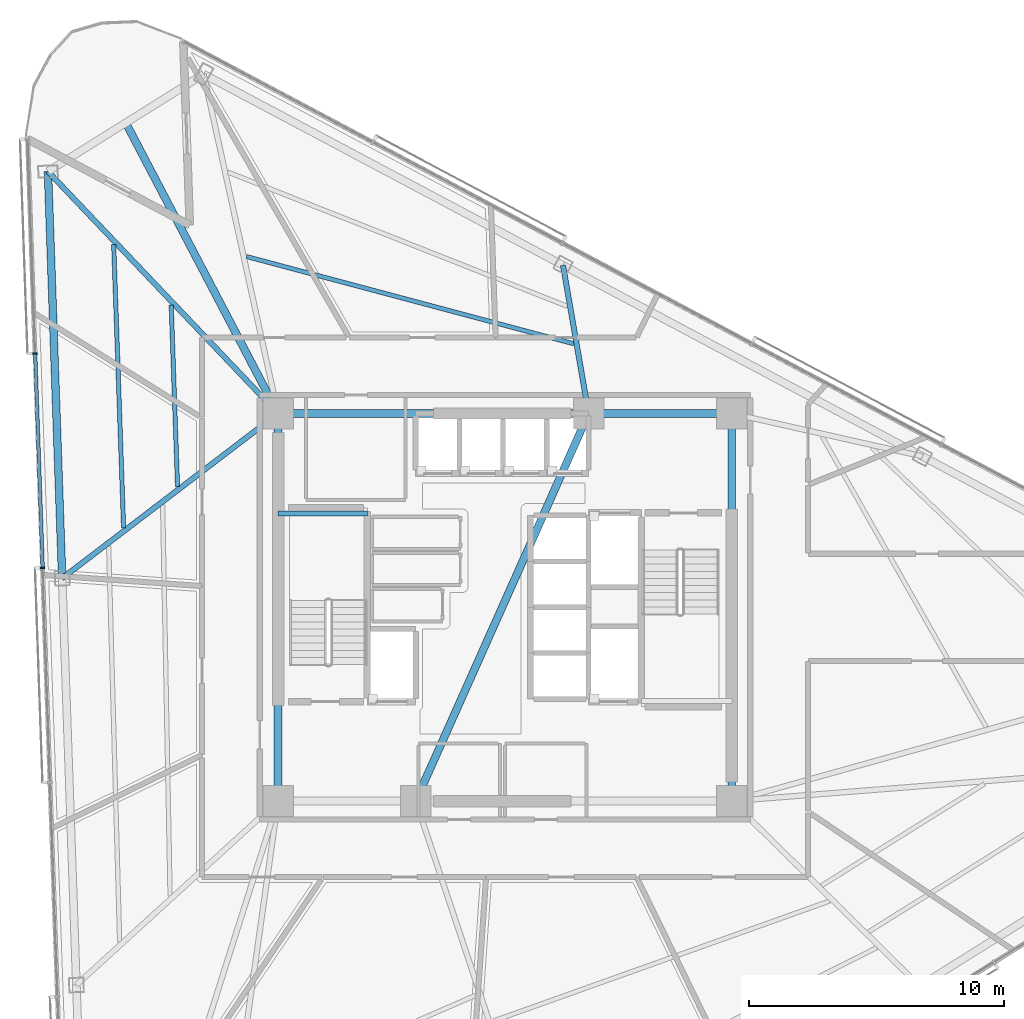
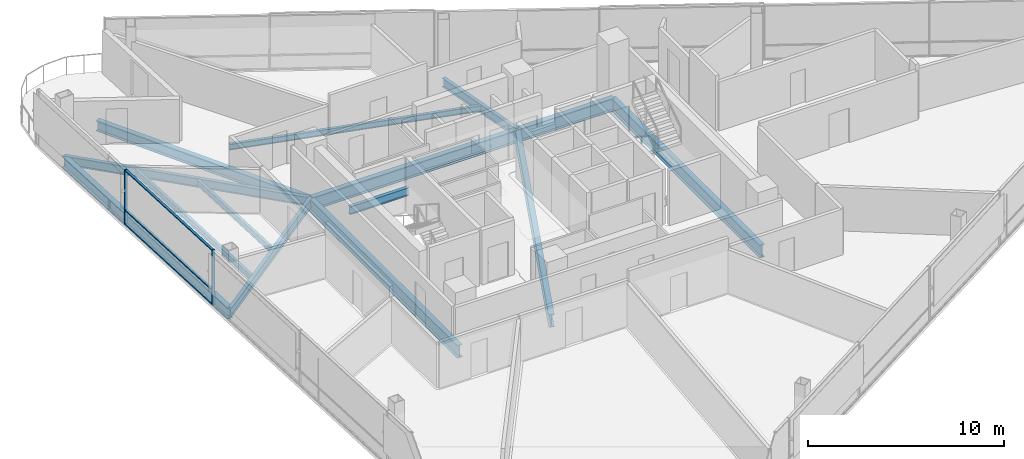
# One storey, part 7 of 20: 14 beams, 5 members, 1 element without a shape of its own.
"""IFC4 building model written with IfcOpenShell, lengths in metres."""

from ifc_helpers import new_model, si_unit, direction, frame, origin, origin_2d, place, context, subcontext, project, spatial, rectangle, i_section, extrude, material, layer, layer_set, material_profile, profile_set, type_object, element, aggregate, save


model = new_model("IFC4")

# Units and contexts
model_context = context("Model", 3, precision=1e-05, world=origin(), true_north=direction((0.0, 1.0)))
body_context = subcontext(model_context, "Body", "Model", "MODEL_VIEW")
ifc_project = project(units=[si_unit("LENGTHUNIT", "METRE"), si_unit("AREAUNIT", "SQUARE_METRE"), si_unit("VOLUMEUNIT", "CUBIC_METRE"), si_unit("PLANEANGLEUNIT", "RADIAN"), si_unit("MASSUNIT", "GRAM", prefix="KILO")], contexts=[model_context])

# Site, building, storey
site_placement = place(None, origin())
site = spatial("IfcSite", under=ifc_project, at=site_placement, CompositionType="ELEMENT")
building_placement = place(site_placement, origin())
building = spatial("IfcBuilding", under=site, at=building_placement, Name="Tharavind Bronze Gate", CompositionType="ELEMENT")
storey_placement = place(building_placement, frame((0.0, 0.0, 149.60009765625)))
storey = spatial("IfcBuildingStorey", under=building, at=storey_placement, Name="L38", CompositionType="ELEMENT", Elevation=149.60009765625)

# Curtain wall, members
ifc_material_1 = material(Name="Anodised Bronze Aluminium", Category="aluminium")
ifc_layer = layer(ifc_material_1, 0.219970703125)
ifc_layer_set = layer_set([ifc_layer], Name="Anodised Bronze Aluminium")
curtain_wall_type = type_object("IfcCurtainWallType", Name="UNITISED CURTAIN WALL MID OFFICE", PredefinedType="USERDEFINED", material=ifc_layer_set)
curtain_wall_placement = place(storey_placement, origin())
curtain_wall = element("IfcCurtainWall", 1, at=curtain_wall_placement, inside=storey, type_object=curtain_wall_type, Name="L38 unitised curtain wall mid office CW-L38-S1", ObjectType="UNITISED CURTAIN WALL", PredefinedType="USERDEFINED")
member_type_1 = type_object("IfcMemberType", Name="CURTAIN WALL BRONZE MULLION 65X180", PredefinedType="MULLION", material=ifc_material_1)
member_1_placement = place(storey_placement, frame((-18.426025390625, 9.955078125, 0.0), z_axis=(0.0, 0.0, 1.0), x_axis=(0.034899496703, -0.999390827019, 0.0)))
member_1 = element("IfcMember", 2, at=member_1_placement, type_object=member_type_1, Name="CW-L38-S1 mullion 2", PredefinedType="MULLION", context=body_context, shape_type="SweptSolid", body=[
    extrude(rectangle(XDim=0.06494140625, YDim=0.179931640625, at=origin_2d()), origin(), (0.0, 0.0, 1.0), 3.409912109375),
])
member_2_placement = place(storey_placement, frame((-18.132568359375, 1.545654296875, 0.0), z_axis=(0.0, 0.0, 1.0), x_axis=(0.034899496703, -0.999390827019, 0.0)))
member_2 = element("IfcMember", 3, at=member_2_placement, type_object=member_type_1, Name="CW-L38-S1 mullion 3", PredefinedType="MULLION", context=body_context, shape_type="SweptSolid", body=[
    extrude(rectangle(XDim=0.06494140625, YDim=0.179931640625, at=origin_2d()), origin(), (0.0, 0.0, 1.0), 3.409912109375),
])
member_type_2 = type_object("IfcMemberType", Name="CURTAIN WALL BRONZE TRANSOM 65X140", PredefinedType="USERDEFINED", material=ifc_material_1)
member_3_placement = place(storey_placement, frame((-18.279296875, 5.750244140625, 0.0), z_axis=(0.0, 0.0, 1.0), x_axis=(0.034899496703, -0.999390827019, 0.0)))
member_3 = element("IfcMember", 4, at=member_3_placement, type_object=member_type_2, Name="CW-L38-S1 transom TB2", ObjectType="TRANSOM", PredefinedType="USERDEFINED", context=body_context, shape_type="SweptSolid", body=[
    extrude(rectangle(XDim=8.361572265625, YDim=0.139892578125, at=origin_2d()), origin(), (0.0, 0.0, 1.0), 0.06494140625),
])
member_4_placement = place(storey_placement, frame((-18.279296875, 5.750244140625, 0.867431640625), z_axis=(0.0, 0.0, 1.0), x_axis=(0.034899496703, -0.999390827019, 0.0)))
member_4 = element("IfcMember", 5, at=member_4_placement, type_object=member_type_2, Name="CW-L38-S1 transom TS2", ObjectType="TRANSOM", PredefinedType="USERDEFINED", context=body_context, shape_type="SweptSolid", body=[
    extrude(rectangle(XDim=8.361572265625, YDim=0.139892578125, at=origin_2d()), origin(), (0.0, 0.0, 1.0), 0.06494140625),
])
member_5_placement = place(storey_placement, frame((-18.279296875, 5.750244140625, 3.344970703125), z_axis=(0.0, 0.0, 1.0), x_axis=(0.034899496703, -0.999390827019, 0.0)))
member_5 = element("IfcMember", 6, at=member_5_placement, type_object=member_type_2, Name="CW-L38-S1 transom TT2", ObjectType="TRANSOM", PredefinedType="USERDEFINED", context=body_context, shape_type="SweptSolid", body=[
    extrude(rectangle(XDim=8.361572265625, YDim=0.139892578125, at=origin_2d()), origin(), (0.0, 0.0, 1.0), 0.06494140625),
])
aggregate(curtain_wall, [member_1, member_2, member_3, member_4, member_5])

# Beams
ifc_material_2 = material(Name="Steel S355", Category="steel")
ifc_material_profile_1 = material_profile(ifc_material_2, i_section(OverallWidth=0.300048828125, OverallDepth=0.64990234375, WebThickness=0.01611328125, FlangeThickness=0.031005859375, at=origin_2d()), Name="HE650B")
ifc_profile_set_1 = profile_set([ifc_material_profile_1], Name="Steel S355")
beam_type_1 = type_object("IfcBeamType", Name="PRIMARY GIRDER HE650B", PredefinedType="USERDEFINED", material=ifc_profile_set_1)
beam_1_placement = place(storey_placement, frame((-8.89990234375, 7.60009765625, -0.51513671875), z_axis=(-0.464055196484, 0.88580628504, 0.0), x_axis=(-0.88580628504, -0.464055196484, 0.0)))
element("IfcBeam", 7, at=beam_1_placement, inside=storey, type_object=beam_type_1, Name="L38 primary girder he650b BM-L38-BLCSB", ObjectType="GIRDER", PredefinedType="USERDEFINED", context=body_context, shape_type="SweptSolid", body=[
    extrude(i_section(OverallWidth=0.300048828125, OverallDepth=0.64990234375, WebThickness=0.01611328125, FlangeThickness=0.031005859375, at=origin_2d()), origin(), (0.0, 0.0, 1.0), 12.86962890625),
])
ifc_material_profile_2 = material_profile(ifc_material_2, i_section(OverallWidth=0.199951171875, OverallDepth=0.5, WebThickness=0.01025390625, FlangeThickness=0.01611328125, at=origin_2d()), Name="IPE500")
ifc_profile_set_2 = profile_set([ifc_material_profile_2], Name="Steel S355")
beam_type_2 = type_object("IfcBeamType", Name="PRIMARY GIRDER IPE500", PredefinedType="USERDEFINED", material=ifc_profile_set_2)
beam_2_placement = place(storey_placement, frame((-8.89990234375, 3.679931640625, 1.349853515625), z_axis=(1.0, 0.0, 0.0), x_axis=(0.0, 1.0, 0.0)))
element("IfcBeam", 8, at=beam_2_placement, inside=storey, type_object=beam_type_2, Name="L38 primary girder ipe500 BM-LD-ST1-L38-1", ObjectType="GIRDER", PredefinedType="USERDEFINED", context=body_context, shape_type="SweptSolid", body=[
    extrude(i_section(OverallWidth=0.199951171875, OverallDepth=0.5, WebThickness=0.01025390625, FlangeThickness=0.01611328125, at=origin_2d()), origin(), (0.0, 0.0, 1.0), 3.5),
])
ifc_material_profile_3 = material_profile(ifc_material_2, i_section(OverallWidth=0.2099609375, OverallDepth=0.550048828125, WebThickness=0.010986328125, FlangeThickness=0.01708984375, at=origin_2d()), Name="IPE550")
ifc_profile_set_3 = profile_set([ifc_material_profile_3], Name="Steel S355")
beam_type_3 = type_object("IfcBeamType", Name="PRIMARY GIRDER IPE550", PredefinedType="USERDEFINED", material=ifc_profile_set_3)
beam_3_placement = place(storey_placement, frame((-17.9248046875, 17.09228515625, -0.465087890625), z_axis=(0.689043333113, -0.724720142602, 0.0), x_axis=(0.724720142602, 0.689043333113, 0.0)))
element("IfcBeam", 9, at=beam_3_placement, inside=storey, type_object=beam_type_3, Name="L38 primary girder ipe550 BM-L38-RAD01", ObjectType="GIRDER", PredefinedType="USERDEFINED", context=body_context, shape_type="SweptSolid", body=[
    extrude(i_section(OverallWidth=0.2099609375, OverallDepth=0.550048828125, WebThickness=0.010986328125, FlangeThickness=0.01708984375, at=origin_2d()), origin(), (0.0, 0.0, 1.0), 13.09765625),
])
beam_4_placement = place(storey_placement, frame((-17.367919921875, 1.138916015625, -0.465087890625), z_axis=(0.79500796779, 0.6065989871, 0.0), x_axis=(-0.6065989871, 0.79500796779, 0.0)))
element("IfcBeam", 10, at=beam_4_placement, inside=storey, type_object=beam_type_3, Name="L38 primary girder ipe550 BM-L38-RAD02", ObjectType="GIRDER", PredefinedType="USERDEFINED", context=body_context, shape_type="SweptSolid", body=[
    extrude(i_section(OverallWidth=0.2099609375, OverallDepth=0.550048828125, WebThickness=0.010986328125, FlangeThickness=0.01708984375, at=origin_2d()), origin(), (0.0, 0.0, 1.0), 10.6513671875),
])
beam_5_placement = place(storey_placement, frame((2.275634765625, 13.41357421875, -0.465087890625), z_axis=(0.170247810627, -0.985401280178, 0.0), x_axis=(0.985401280178, 0.170247810627, 0.0)))
element("IfcBeam", 11, at=beam_5_placement, inside=storey, type_object=beam_type_3, Name="L38 primary girder ipe550 BM-L38-RAD11", ObjectType="GIRDER", PredefinedType="USERDEFINED", context=body_context, shape_type="SweptSolid", body=[
    extrude(i_section(OverallWidth=0.2099609375, OverallDepth=0.550048828125, WebThickness=0.010986328125, FlangeThickness=0.01708984375, at=origin_2d()), origin(), (0.0, 0.0, 1.0), 5.899658203125),
])
ifc_material_profile_4 = material_profile(ifc_material_2, i_section(OverallWidth=0.300048828125, OverallDepth=0.699951171875, WebThickness=0.01708984375, FlangeThickness=0.031982421875, at=origin_2d()), Name="HE700B")
ifc_profile_set_4 = profile_set([ifc_material_profile_4], Name="Steel S355")
beam_type_4 = type_object("IfcBeamType", Name="RING GIRDER HE700B", PredefinedType="USERDEFINED", material=ifc_profile_set_4)
beam_6_placement = place(storey_placement, frame((-17.9248046875, 17.09228515625, -0.5400390625), z_axis=(0.034885784199, -0.999391305776, 0.0), x_axis=(0.999391305776, 0.034885784199, 0.0)))
element("IfcBeam", 12, at=beam_6_placement, inside=storey, type_object=beam_type_4, Name="L38 ring girder he700b BM-L38-PRG01", ObjectType="GIRDER", PredefinedType="USERDEFINED", context=body_context, shape_type="SweptSolid", body=[
    extrude(i_section(OverallWidth=0.300048828125, OverallDepth=0.699951171875, WebThickness=0.01708984375, FlangeThickness=0.031982421875, at=origin_2d()), origin(), (0.0, 0.0, 1.0), 15.963134765625),
])
ifc_material_profile_5 = material_profile(ifc_material_2, i_section(OverallWidth=0.300048828125, OverallDepth=0.800048828125, WebThickness=0.017578125, FlangeThickness=0.032958984375, at=origin_2d()), Name="HE800B")
ifc_profile_set_5 = profile_set([ifc_material_profile_5], Name="Steel S355")
beam_type_5 = type_object("IfcBeamType", Name="RING GIRDER HE800B", PredefinedType="USERDEFINED", material=ifc_profile_set_5)
beam_7_placement = place(storey_placement, frame((8.89990234375, -7.60009765625, -0.590087890625), z_axis=(0.0, 1.0, 0.0), x_axis=(-1.0, 0.0, 0.0)))
element("IfcBeam", 13, at=beam_7_placement, inside=storey, type_object=beam_type_5, Name="L38 ring girder he800b BM-L38-CR3", ObjectType="GIRDER", PredefinedType="USERDEFINED", context=body_context, shape_type="SweptSolid", body=[
    extrude(i_section(OverallWidth=0.300048828125, OverallDepth=0.800048828125, WebThickness=0.017578125, FlangeThickness=0.032958984375, at=origin_2d()), origin(), (0.0, 0.0, 1.0), 15.2001953125),
])
beam_8_placement = place(storey_placement, frame((8.89990234375, 7.60009765625, -0.590087890625), z_axis=(-1.0, 0.0, 0.0), x_axis=(0.0, -1.0, 0.0)))
element("IfcBeam", 14, at=beam_8_placement, inside=storey, type_object=beam_type_5, Name="L38 ring girder he800b BM-L38-CR4", ObjectType="GIRDER", PredefinedType="USERDEFINED", context=body_context, shape_type="SweptSolid", body=[
    extrude(i_section(OverallWidth=0.300048828125, OverallDepth=0.800048828125, WebThickness=0.017578125, FlangeThickness=0.032958984375, at=origin_2d()), origin(), (0.0, 0.0, 1.0), 5.619873046875),
])
beam_9_placement = place(storey_placement, frame((3.280029296875, 7.60009765625, -0.590087890625), z_axis=(-1.0, 0.0, 0.0), x_axis=(0.0, -1.0, 0.0)))
element("IfcBeam", 15, at=beam_9_placement, inside=storey, type_object=beam_type_5, Name="L38 ring girder he800b BM-L38-CR5", ObjectType="GIRDER", PredefinedType="USERDEFINED", context=body_context, shape_type="SweptSolid", body=[
    extrude(i_section(OverallWidth=0.300048828125, OverallDepth=0.800048828125, WebThickness=0.017578125, FlangeThickness=0.032958984375, at=origin_2d()), origin(), (0.0, 0.0, 1.0), 12.179931640625),
])
beam_10_placement = place(storey_placement, frame((-8.89990234375, 7.60009765625, -0.590087890625), z_axis=(0.0, -1.0, 0.0), x_axis=(1.0, 0.0, 0.0)))
element("IfcBeam", 16, at=beam_10_placement, inside=storey, type_object=beam_type_5, Name="L38 ring girder he800b BM-L38-CR6", ObjectType="GIRDER", PredefinedType="USERDEFINED", context=body_context, shape_type="SweptSolid", body=[
    extrude(i_section(OverallWidth=0.300048828125, OverallDepth=0.800048828125, WebThickness=0.017578125, FlangeThickness=0.032958984375, at=origin_2d()), origin(), (0.0, 0.0, 1.0), 15.2001953125),
])
beam_11_placement = place(storey_placement, frame((-3.5, -7.60009765625, -0.590087890625), z_axis=(0.407361644566, 0.913266932795, 0.0), x_axis=(-0.913266932795, 0.407361644566, 0.0)))
element("IfcBeam", 17, at=beam_11_placement, inside=storey, type_object=beam_type_5, Name="L38 ring girder he800b BM-L38-CR7", ObjectType="GIRDER", PredefinedType="USERDEFINED", context=body_context, shape_type="SweptSolid", body=[
    extrude(i_section(OverallWidth=0.300048828125, OverallDepth=0.800048828125, WebThickness=0.017578125, FlangeThickness=0.032958984375, at=origin_2d()), origin(), (0.0, 0.0, 1.0), 16.643798828125),
])
ifc_material_profile_6 = material_profile(ifc_material_2, i_section(OverallWidth=0.169921875, OverallDepth=0.360107421875, WebThickness=0.008056640625, FlangeThickness=0.0126953125, at=origin_2d()), Name="IPE360")
ifc_profile_set_6 = profile_set([ifc_material_profile_6], Name="Steel S355")
beam_type_6 = type_object("IfcBeamType", Name="SECONDARY FLOOR JOIST IPE360", PredefinedType="JOIST", material=ifc_profile_set_6)
beam_12_placement = place(storey_placement, frame((-13.0908203125, 11.851806640625, -0.3701171875), z_axis=(0.034868084792, -0.999391923453, 0.0), x_axis=(0.999391923453, 0.034868084792, 0.0)))
element("IfcBeam", 18, at=beam_12_placement, inside=storey, type_object=beam_type_6, Name="L38 secondary floor joist ipe360 BM-L38-JSTA01", PredefinedType="JOIST", context=body_context, shape_type="SweptSolid", body=[
    extrude(i_section(OverallWidth=0.169921875, OverallDepth=0.360107421875, WebThickness=0.008056640625, FlangeThickness=0.0126953125, at=origin_2d()), origin(), (0.0, 0.0, 1.0), 7.1279296875),
])
beam_13_placement = place(storey_placement, frame((-15.34716796875, 14.224853515625, -0.3701171875), z_axis=(0.034913008406, -0.999390355089, 0.0), x_axis=(0.999390355089, 0.034913008406, 0.0)))
element("IfcBeam", 19, at=beam_13_placement, inside=storey, type_object=beam_type_6, Name="L38 secondary floor joist ipe360 BM-L38-JSTB01", PredefinedType="JOIST", context=body_context, shape_type="SweptSolid", body=[
    extrude(i_section(OverallWidth=0.169921875, OverallDepth=0.360107421875, WebThickness=0.008056640625, FlangeThickness=0.0126953125, at=origin_2d()), origin(), (0.0, 0.0, 1.0), 11.11865234375),
])
beam_14_placement = place(storey_placement, frame((2.697509765625, 10.333984375, -0.3701171875), z_axis=(-0.966245614019, 0.257622618162, 0.0), x_axis=(-0.257622618162, -0.966245614019, 0.0)))
element("IfcBeam", 20, at=beam_14_placement, inside=storey, type_object=beam_type_6, Name="L38 secondary floor joist ipe360 BM-L38-JSTA11", PredefinedType="JOIST", context=body_context, shape_type="SweptSolid", body=[
    extrude(i_section(OverallWidth=0.169921875, OverallDepth=0.360107421875, WebThickness=0.008056640625, FlangeThickness=0.0126953125, at=origin_2d()), origin(), (0.0, 0.0, 1.0), 13.285400390625),
])

save(model, "model.ifc")
